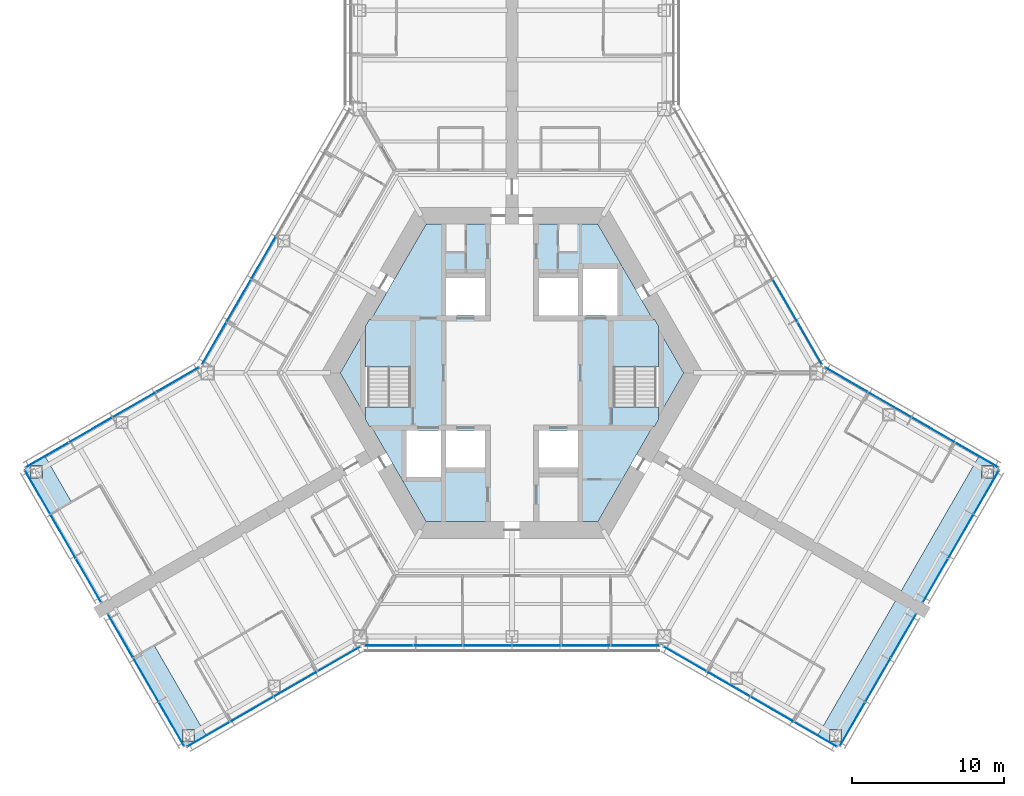
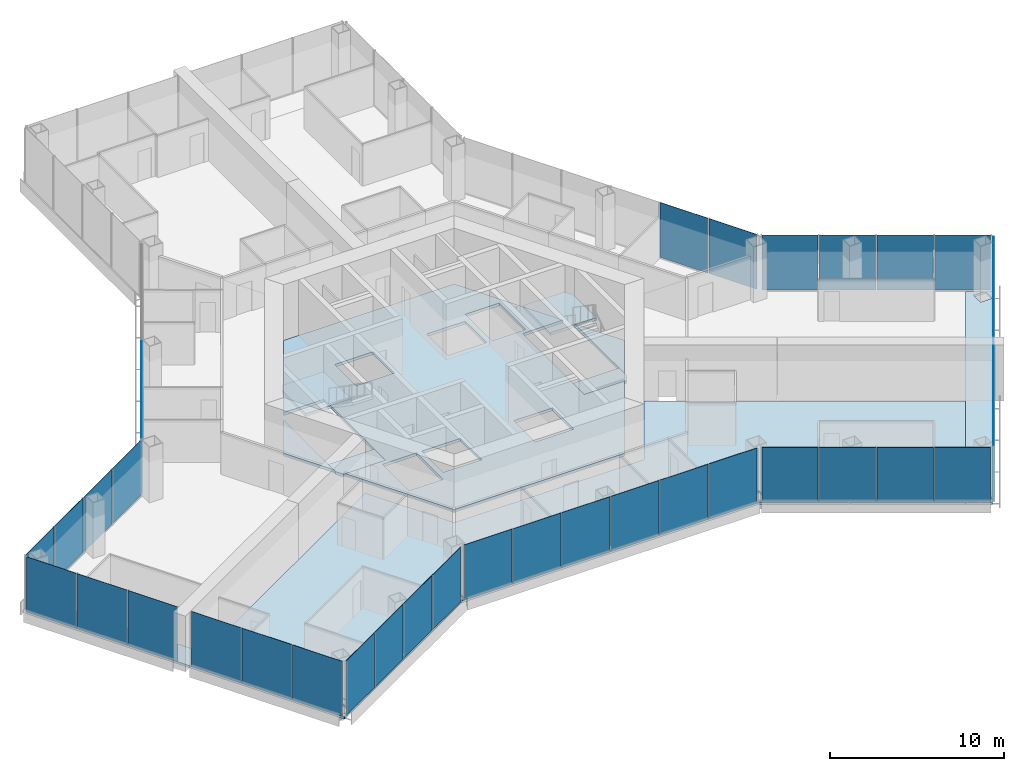
# One storey, part 10 of 19: 39 plates, 10 slabs, 13 elements without a shape of their own.
"""IFC4 building model written with IfcOpenShell, lengths in metres."""

from ifc_helpers import new_model, si_unit, direction, frame, origin, origin_2d, place, context, subcontext, project, spatial, polyline, rectangle, outline, extrude, material, layer, layer_set, type_object, element, aggregate, save


model = new_model("IFC4")

# Units and contexts
model_context = context("Model", 3, precision=1e-05, world=origin(), true_north=direction((0.0, 1.0)))
body_context = subcontext(model_context, "Body", "Model", "MODEL_VIEW")
ifc_project = project(units=[si_unit("LENGTHUNIT", "METRE"), si_unit("AREAUNIT", "SQUARE_METRE"), si_unit("VOLUMEUNIT", "CUBIC_METRE"), si_unit("PLANEANGLEUNIT", "RADIAN"), si_unit("MASSUNIT", "GRAM", prefix="KILO")], contexts=[model_context])

# Site, building, storey
site_placement = place(None, origin())
site = spatial("IfcSite", under=ifc_project, at=site_placement, CompositionType="ELEMENT")
building_placement = place(site_placement, origin())
building = spatial("IfcBuilding", under=site, at=building_placement, Name="Kasaneha Research Tower", CompositionType="ELEMENT")
storey_placement = place(building_placement, frame((0.0, 0.0, 92.39990234375)))
storey = spatial("IfcBuildingStorey", under=building, at=storey_placement, Name="L23", CompositionType="ELEMENT", Elevation=92.39990234375)

# Curtain wall, plates
ifc_material_1 = material(Name="Glass and aluminium", Category="aluminium")
curtain_wall_type = type_object("IfcCurtainWallType", Name="Low-rise office curtain wall", PredefinedType="USERDEFINED", material=ifc_material_1)
curtain_wall_1_placement = place(storey_placement, origin())
curtain_wall_1 = element("IfcCurtainWall", 1, at=curtain_wall_1_placement, inside=storey, type_object=curtain_wall_type, Name="CW-O1 L23 run 01a", ObjectType="UNITISED CURTAIN WALL", PredefinedType="USERDEFINED")
ifc_material_2 = material(Name="Laminated double glazing", Category="glass")
ifc_layer_1 = layer(ifc_material_2, 0.028076171875)
ifc_layer_set_1 = layer_set([ifc_layer_1], Name="CW-O1 glazed panel")
plate_type = type_object("IfcPlateType", Name="CW-O1 glazed panel", PredefinedType="CURTAIN_PANEL", material=ifc_layer_set_1)
plate_1_placement = place(storey_placement, frame((-19.945068359375, -23.755126953125, 0.06005859375), z_axis=(0.0, 0.0, 1.0), x_axis=(0.866025411464, 0.499999986699, 0.0)))
plate_1 = element("IfcPlate", 2, at=plate_1_placement, type_object=plate_type, Name="CW-O1 panel 1", PredefinedType="CURTAIN_PANEL", context=body_context, shape_type="SweptSolid", body=[
    extrude(rectangle(XDim=3.2197265625, YDim=0.028076171875, at=origin_2d()), origin(), (0.0, 0.0, 1.0), 3.840087890625),
])
plate_2_placement = place(storey_placement, frame((-17.091796875, -22.107666015625, 0.06005859375), z_axis=(0.0, 0.0, 1.0), x_axis=(0.866025411464, 0.499999986699, 0.0)))
plate_2 = element("IfcPlate", 3, at=plate_2_placement, type_object=plate_type, Name="CW-O1 panel 2", PredefinedType="CURTAIN_PANEL", context=body_context, shape_type="SweptSolid", body=[
    extrude(rectangle(XDim=3.249755859375, YDim=0.028076171875, at=origin_2d()), origin(), (0.0, 0.0, 1.0), 3.840087890625),
])
plate_3_placement = place(storey_placement, frame((-14.225341796875, -20.452880859375, 0.06005859375), z_axis=(0.0, 0.0, 1.0), x_axis=(0.866025411464, 0.499999986699, 0.0)))
plate_3 = element("IfcPlate", 4, at=plate_3_placement, type_object=plate_type, Name="CW-O1 panel 3", PredefinedType="CURTAIN_PANEL", context=body_context, shape_type="SweptSolid", body=[
    extrude(rectangle(XDim=3.249755859375, YDim=0.028076171875, at=origin_2d()), origin(), (0.0, 0.0, 1.0), 3.840087890625),
])
plate_4_placement = place(storey_placement, frame((-11.3720703125, -18.805419921875, 0.06005859375), z_axis=(0.0, 0.0, 1.0), x_axis=(0.866025411464, 0.499999986699, 0.0)))
plate_4 = element("IfcPlate", 5, at=plate_4_placement, type_object=plate_type, Name="CW-O1 panel 4", PredefinedType="CURTAIN_PANEL", context=body_context, shape_type="SweptSolid", body=[
    extrude(rectangle(XDim=3.2197265625, YDim=0.028076171875, at=origin_2d()), origin(), (0.0, 0.0, 1.0), 3.840087890625),
])
aggregate(curtain_wall_1, [plate_1, plate_2, plate_3, plate_4])

curtain_wall_2_placement = place(storey_placement, origin())
curtain_wall_2 = element("IfcCurtainWall", 6, at=curtain_wall_2_placement, inside=storey, type_object=curtain_wall_type, Name="CW-O1 L23 run 02a", ObjectType="UNITISED CURTAIN WALL", PredefinedType="USERDEFINED")
plate_5_placement = place(storey_placement, frame((-8.10107421875, -17.92041015625, 0.06005859375), z_axis=(0.0, 0.0, 1.0), x_axis=(1.0, 0.0, 0.0)))
plate_5 = element("IfcPlate", 7, at=plate_5_placement, type_object=plate_type, Name="CW-O1 panel 1", PredefinedType="CURTAIN_PANEL", context=body_context, shape_type="SweptSolid", body=[
    extrude(rectangle(XDim=3.156494140625, YDim=0.028076171875, at=origin_2d()), origin(), (0.0, 0.0, 1.0), 3.840087890625),
])
plate_6_placement = place(storey_placement, frame((-4.86962890625, -17.92041015625, 0.06005859375), z_axis=(0.0, 0.0, 1.0), x_axis=(1.0, 0.0, 0.0)))
plate_6 = element("IfcPlate", 8, at=plate_6_placement, type_object=plate_type, Name="CW-O1 panel 2", PredefinedType="CURTAIN_PANEL", context=body_context, shape_type="SweptSolid", body=[
    extrude(rectangle(XDim=3.1865234375, YDim=0.028076171875, at=origin_2d()), origin(), (0.0, 0.0, 1.0), 3.840087890625),
])
plate_7_placement = place(storey_placement, frame((-1.623291015625, -17.92041015625, 0.06005859375), z_axis=(0.0, 0.0, 1.0), x_axis=(1.0, 0.0, 0.0)))
plate_7 = element("IfcPlate", 9, at=plate_7_placement, type_object=plate_type, Name="CW-O1 panel 3", PredefinedType="CURTAIN_PANEL", context=body_context, shape_type="SweptSolid", body=[
    extrude(rectangle(XDim=3.1865234375, YDim=0.028076171875, at=origin_2d()), origin(), (0.0, 0.0, 1.0), 3.840087890625),
])
plate_8_placement = place(storey_placement, frame((1.623291015625, -17.92041015625, 0.06005859375), z_axis=(0.0, 0.0, 1.0), x_axis=(1.0, 0.0, 0.0)))
plate_8 = element("IfcPlate", 10, at=plate_8_placement, type_object=plate_type, Name="CW-O1 panel 4", PredefinedType="CURTAIN_PANEL", context=body_context, shape_type="SweptSolid", body=[
    extrude(rectangle(XDim=3.1865234375, YDim=0.028076171875, at=origin_2d()), origin(), (0.0, 0.0, 1.0), 3.840087890625),
])
plate_9_placement = place(storey_placement, frame((4.86962890625, -17.92041015625, 0.06005859375), z_axis=(0.0, 0.0, 1.0), x_axis=(1.0, 0.0, 0.0)))
plate_9 = element("IfcPlate", 11, at=plate_9_placement, type_object=plate_type, Name="CW-O1 panel 5", PredefinedType="CURTAIN_PANEL", context=body_context, shape_type="SweptSolid", body=[
    extrude(rectangle(XDim=3.1865234375, YDim=0.028076171875, at=origin_2d()), origin(), (0.0, 0.0, 1.0), 3.840087890625),
])
plate_10_placement = place(storey_placement, frame((8.10107421875, -17.92041015625, 0.06005859375), z_axis=(0.0, 0.0, 1.0), x_axis=(1.0, 0.0, 0.0)))
plate_10 = element("IfcPlate", 12, at=plate_10_placement, type_object=plate_type, Name="CW-O1 panel 6", PredefinedType="CURTAIN_PANEL", context=body_context, shape_type="SweptSolid", body=[
    extrude(rectangle(XDim=3.156494140625, YDim=0.028076171875, at=origin_2d()), origin(), (0.0, 0.0, 1.0), 3.840087890625),
])
aggregate(curtain_wall_2, [plate_5, plate_6, plate_7, plate_8, plate_9, plate_10])

curtain_wall_3_placement = place(storey_placement, origin())
curtain_wall_3 = element("IfcCurtainWall", 13, at=curtain_wall_3_placement, inside=storey, type_object=curtain_wall_type, Name="CW-O1 L23 run 03a", ObjectType="UNITISED CURTAIN WALL", PredefinedType="USERDEFINED")
plate_11_placement = place(storey_placement, frame((11.3720703125, -18.805419921875, 0.06005859375), z_axis=(0.0, 0.0, 1.0), x_axis=(0.866025411464, -0.499999986699, 0.0)))
plate_11 = element("IfcPlate", 14, at=plate_11_placement, type_object=plate_type, Name="CW-O1 panel 1", PredefinedType="CURTAIN_PANEL", context=body_context, shape_type="SweptSolid", body=[
    extrude(rectangle(XDim=3.2197265625, YDim=0.028076171875, at=origin_2d()), origin(), (0.0, 0.0, 1.0), 3.840087890625),
])
plate_12_placement = place(storey_placement, frame((14.225341796875, -20.452880859375, 0.06005859375), z_axis=(0.0, 0.0, 1.0), x_axis=(0.866025411464, -0.499999986699, 0.0)))
plate_12 = element("IfcPlate", 15, at=plate_12_placement, type_object=plate_type, Name="CW-O1 panel 2", PredefinedType="CURTAIN_PANEL", context=body_context, shape_type="SweptSolid", body=[
    extrude(rectangle(XDim=3.249755859375, YDim=0.028076171875, at=origin_2d()), origin(), (0.0, 0.0, 1.0), 3.840087890625),
])
plate_13_placement = place(storey_placement, frame((17.091796875, -22.107666015625, 0.06005859375), z_axis=(0.0, 0.0, 1.0), x_axis=(0.866025411464, -0.499999986699, 0.0)))
plate_13 = element("IfcPlate", 16, at=plate_13_placement, type_object=plate_type, Name="CW-O1 panel 3", PredefinedType="CURTAIN_PANEL", context=body_context, shape_type="SweptSolid", body=[
    extrude(rectangle(XDim=3.249755859375, YDim=0.028076171875, at=origin_2d()), origin(), (0.0, 0.0, 1.0), 3.840087890625),
])
plate_14_placement = place(storey_placement, frame((19.945068359375, -23.755126953125, 0.06005859375), z_axis=(0.0, 0.0, 1.0), x_axis=(0.866025411464, -0.499999986699, 0.0)))
plate_14 = element("IfcPlate", 17, at=plate_14_placement, type_object=plate_type, Name="CW-O1 panel 4", PredefinedType="CURTAIN_PANEL", context=body_context, shape_type="SweptSolid", body=[
    extrude(rectangle(XDim=3.2197265625, YDim=0.028076171875, at=origin_2d()), origin(), (0.0, 0.0, 1.0), 3.840087890625),
])
aggregate(curtain_wall_3, [plate_11, plate_12, plate_13, plate_14])

curtain_wall_4_placement = place(storey_placement, origin())
curtain_wall_4 = element("IfcCurtainWall", 18, at=curtain_wall_4_placement, inside=storey, type_object=curtain_wall_type, Name="CW-O1 L23 run 04a", ObjectType="UNITISED CURTAIN WALL", PredefinedType="USERDEFINED")
plate_15_placement = place(storey_placement, frame((22.377197265625, -23.082763671875, 0.06005859375), z_axis=(0.0, 0.0, 1.0), x_axis=(0.500000011442, 0.866025397178, 0.0)))
plate_15 = element("IfcPlate", 19, at=plate_15_placement, type_object=plate_type, Name="CW-O1 panel 1", PredefinedType="CURTAIN_PANEL", context=body_context, shape_type="SweptSolid", body=[
    extrude(rectangle(XDim=3.276611328125, YDim=0.028076171875, at=origin_2d()), origin(), (0.0, 0.0, 1.0), 3.840087890625),
])
plate_16_placement = place(storey_placement, frame((24.052978515625, -20.18017578125, 0.06005859375), z_axis=(0.0, 0.0, 1.0), x_axis=(0.500000011442, 0.866025397178, 0.0)))
plate_16 = element("IfcPlate", 20, at=plate_16_placement, type_object=plate_type, Name="CW-O1 panel 2", PredefinedType="CURTAIN_PANEL", context=body_context, shape_type="SweptSolid", body=[
    extrude(rectangle(XDim=3.306640625, YDim=0.028076171875, at=origin_2d()), origin(), (0.0, 0.0, 1.0), 3.840087890625),
])
plate_17_placement = place(storey_placement, frame((25.728759765625, -17.27734375, 0.06005859375), z_axis=(0.0, 0.0, 1.0), x_axis=(0.500000011442, 0.866025397178, 0.0)))
plate_17 = element("IfcPlate", 21, at=plate_17_placement, type_object=plate_type, Name="CW-O1 panel 3", PredefinedType="CURTAIN_PANEL", context=body_context, shape_type="SweptSolid", body=[
    extrude(rectangle(XDim=3.276611328125, YDim=0.028076171875, at=origin_2d()), origin(), (0.0, 0.0, 1.0), 3.840087890625),
])
aggregate(curtain_wall_4, [plate_15, plate_16, plate_17])

curtain_wall_5_placement = place(storey_placement, origin())
curtain_wall_5 = element("IfcCurtainWall", 22, at=curtain_wall_5_placement, inside=storey, type_object=curtain_wall_type, Name="CW-O1 L23 run 05a", ObjectType="UNITISED CURTAIN WALL", PredefinedType="USERDEFINED")
plate_18_placement = place(storey_placement, frame((27.8271484375, -13.64306640625, 0.06005859375), z_axis=(0.0, 0.0, 1.0), x_axis=(0.500000011442, 0.866025397178, 0.0)))
plate_18 = element("IfcPlate", 23, at=plate_18_placement, type_object=plate_type, Name="CW-O1 panel 1", PredefinedType="CURTAIN_PANEL", context=body_context, shape_type="SweptSolid", body=[
    extrude(rectangle(XDim=3.276611328125, YDim=0.028076171875, at=origin_2d()), origin(), (0.0, 0.0, 1.0), 3.840087890625),
])
plate_19_placement = place(storey_placement, frame((29.5029296875, -10.740478515625, 0.06005859375), z_axis=(0.0, 0.0, 1.0), x_axis=(0.500000011442, 0.866025397178, 0.0)))
plate_19 = element("IfcPlate", 24, at=plate_19_placement, type_object=plate_type, Name="CW-O1 panel 2", PredefinedType="CURTAIN_PANEL", context=body_context, shape_type="SweptSolid", body=[
    extrude(rectangle(XDim=3.306640625, YDim=0.028076171875, at=origin_2d()), origin(), (0.0, 0.0, 1.0), 3.840087890625),
])
plate_20_placement = place(storey_placement, frame((31.1787109375, -7.837890625, 0.06005859375), z_axis=(0.0, 0.0, 1.0), x_axis=(0.500000011442, 0.866025397178, 0.0)))
plate_20 = element("IfcPlate", 25, at=plate_20_placement, type_object=plate_type, Name="CW-O1 panel 3", PredefinedType="CURTAIN_PANEL", context=body_context, shape_type="SweptSolid", body=[
    extrude(rectangle(XDim=3.276611328125, YDim=0.028076171875, at=origin_2d()), origin(), (0.0, 0.0, 1.0), 3.840087890625),
])
aggregate(curtain_wall_5, [plate_18, plate_19, plate_20])

curtain_wall_6_placement = place(storey_placement, origin())
curtain_wall_6 = element("IfcCurtainWall", 26, at=curtain_wall_6_placement, inside=storey, type_object=curtain_wall_type, Name="CW-O1 L23 run 06a", ObjectType="UNITISED CURTAIN WALL", PredefinedType="USERDEFINED")
plate_21_placement = place(storey_placement, frame((30.545166015625, -5.3955078125, 0.06005859375), z_axis=(0.0, 0.0, 1.0), x_axis=(-0.866025411464, 0.499999986699, 0.0)))
plate_21 = element("IfcPlate", 27, at=plate_21_placement, type_object=plate_type, Name="CW-O1 panel 1", PredefinedType="CURTAIN_PANEL", context=body_context, shape_type="SweptSolid", body=[
    extrude(rectangle(XDim=3.2197265625, YDim=0.028076171875, at=origin_2d()), origin(), (0.0, 0.0, 1.0), 3.840087890625),
])
plate_22_placement = place(storey_placement, frame((27.69189453125, -3.748046875, 0.06005859375), z_axis=(0.0, 0.0, 1.0), x_axis=(-0.866025411464, 0.499999986699, 0.0)))
plate_22 = element("IfcPlate", 28, at=plate_22_placement, type_object=plate_type, Name="CW-O1 panel 2", PredefinedType="CURTAIN_PANEL", context=body_context, shape_type="SweptSolid", body=[
    extrude(rectangle(XDim=3.249755859375, YDim=0.028076171875, at=origin_2d()), origin(), (0.0, 0.0, 1.0), 3.840087890625),
])
plate_23_placement = place(storey_placement, frame((24.825439453125, -2.093017578125, 0.06005859375), z_axis=(0.0, 0.0, 1.0), x_axis=(-0.866025411464, 0.499999986699, 0.0)))
plate_23 = element("IfcPlate", 29, at=plate_23_placement, type_object=plate_type, Name="CW-O1 panel 3", PredefinedType="CURTAIN_PANEL", context=body_context, shape_type="SweptSolid", body=[
    extrude(rectangle(XDim=3.249755859375, YDim=0.028076171875, at=origin_2d()), origin(), (0.0, 0.0, 1.0), 3.840087890625),
])
plate_24_placement = place(storey_placement, frame((21.971923828125, -0.44580078125, 0.06005859375), z_axis=(0.0, 0.0, 1.0), x_axis=(-0.866025411464, 0.499999986699, 0.0)))
plate_24 = element("IfcPlate", 30, at=plate_24_placement, type_object=plate_type, Name="CW-O1 panel 4", PredefinedType="CURTAIN_PANEL", context=body_context, shape_type="SweptSolid", body=[
    extrude(rectangle(XDim=3.2197265625, YDim=0.028076171875, at=origin_2d()), origin(), (0.0, 0.0, 1.0), 3.840087890625),
])
aggregate(curtain_wall_6, [plate_21, plate_22, plate_23, plate_24])

curtain_wall_7_placement = place(storey_placement, origin())
curtain_wall_7 = element("IfcCurtainWall", 31, at=curtain_wall_7_placement, inside=storey, type_object=curtain_wall_type, Name="CW-O1 L23 run 07a", ObjectType="UNITISED CURTAIN WALL", PredefinedType="USERDEFINED")
plate_25_placement = place(storey_placement, frame((19.570068359375, 1.944580078125, 0.06005859375), z_axis=(0.0, 0.0, 1.0), x_axis=(-0.49999996188, 0.866025425793, 0.0)))
plate_25 = element("IfcPlate", 32, at=plate_25_placement, type_object=plate_type, Name="CW-O1 panel 1", PredefinedType="CURTAIN_PANEL", context=body_context, shape_type="SweptSolid", body=[
    extrude(rectangle(XDim=3.156494140625, YDim=0.028076171875, at=origin_2d()), origin(), (0.0, 0.0, 1.0), 3.840087890625),
])
plate_26_placement = place(storey_placement, frame((17.954345703125, 4.7431640625, 0.06005859375), z_axis=(0.0, 0.0, 1.0), x_axis=(-0.49999996188, 0.866025425793, 0.0)))
plate_26 = element("IfcPlate", 33, at=plate_26_placement, type_object=plate_type, Name="CW-O1 panel 2", PredefinedType="CURTAIN_PANEL", context=body_context, shape_type="SweptSolid", body=[
    extrude(rectangle(XDim=3.1865234375, YDim=0.028076171875, at=origin_2d()), origin(), (0.0, 0.0, 1.0), 3.840087890625),
])
aggregate(curtain_wall_7, [plate_25, plate_26])

curtain_wall_8_placement = place(storey_placement, origin())
curtain_wall_8 = element("IfcCurtainWall", 34, at=curtain_wall_8_placement, inside=storey, type_object=curtain_wall_type, Name="CW-O1 L23 run 12a", ObjectType="UNITISED CURTAIN WALL", PredefinedType="USERDEFINED")
plate_27_placement = place(storey_placement, frame((-16.331298828125, 7.554443359375, 0.06005859375), z_axis=(0.0, 0.0, 1.0), x_axis=(-0.49999996188, -0.866025425793, 0.0)))
plate_27 = element("IfcPlate", 35, at=plate_27_placement, type_object=plate_type, Name="CW-O1 panel 4", PredefinedType="CURTAIN_PANEL", context=body_context, shape_type="SweptSolid", body=[
    extrude(rectangle(XDim=3.1865234375, YDim=0.028076171875, at=origin_2d()), origin(), (0.0, 0.0, 1.0), 3.840087890625),
])
plate_28_placement = place(storey_placement, frame((-17.954345703125, 4.7431640625, 0.06005859375), z_axis=(0.0, 0.0, 1.0), x_axis=(-0.49999996188, -0.866025425793, 0.0)))
plate_28 = element("IfcPlate", 36, at=plate_28_placement, type_object=plate_type, Name="CW-O1 panel 5", PredefinedType="CURTAIN_PANEL", context=body_context, shape_type="SweptSolid", body=[
    extrude(rectangle(XDim=3.1865234375, YDim=0.028076171875, at=origin_2d()), origin(), (0.0, 0.0, 1.0), 3.840087890625),
])
plate_29_placement = place(storey_placement, frame((-19.570068359375, 1.944580078125, 0.06005859375), z_axis=(0.0, 0.0, 1.0), x_axis=(-0.49999996188, -0.866025425793, 0.0)))
plate_29 = element("IfcPlate", 37, at=plate_29_placement, type_object=plate_type, Name="CW-O1 panel 6", PredefinedType="CURTAIN_PANEL", context=body_context, shape_type="SweptSolid", body=[
    extrude(rectangle(XDim=3.156494140625, YDim=0.028076171875, at=origin_2d()), origin(), (0.0, 0.0, 1.0), 3.840087890625),
])
aggregate(curtain_wall_8, [plate_27, plate_28, plate_29])

curtain_wall_9_placement = place(storey_placement, origin())
curtain_wall_9 = element("IfcCurtainWall", 38, at=curtain_wall_9_placement, inside=storey, type_object=curtain_wall_type, Name="CW-O1 L23 run 13a", ObjectType="UNITISED CURTAIN WALL", PredefinedType="USERDEFINED")
plate_30_placement = place(storey_placement, frame((-21.971923828125, -0.44580078125, 0.06005859375), z_axis=(0.0, 0.0, 1.0), x_axis=(-0.866025411464, -0.499999986699, 0.0)))
plate_30 = element("IfcPlate", 39, at=plate_30_placement, type_object=plate_type, Name="CW-O1 panel 1", PredefinedType="CURTAIN_PANEL", context=body_context, shape_type="SweptSolid", body=[
    extrude(rectangle(XDim=3.2197265625, YDim=0.028076171875, at=origin_2d()), origin(), (0.0, 0.0, 1.0), 3.840087890625),
])
plate_31_placement = place(storey_placement, frame((-24.825439453125, -2.093017578125, 0.06005859375), z_axis=(0.0, 0.0, 1.0), x_axis=(-0.866025411464, -0.499999986699, 0.0)))
plate_31 = element("IfcPlate", 40, at=plate_31_placement, type_object=plate_type, Name="CW-O1 panel 2", PredefinedType="CURTAIN_PANEL", context=body_context, shape_type="SweptSolid", body=[
    extrude(rectangle(XDim=3.249755859375, YDim=0.028076171875, at=origin_2d()), origin(), (0.0, 0.0, 1.0), 3.840087890625),
])
plate_32_placement = place(storey_placement, frame((-27.69189453125, -3.748046875, 0.06005859375), z_axis=(0.0, 0.0, 1.0), x_axis=(-0.866025411464, -0.499999986699, 0.0)))
plate_32 = element("IfcPlate", 41, at=plate_32_placement, type_object=plate_type, Name="CW-O1 panel 3", PredefinedType="CURTAIN_PANEL", context=body_context, shape_type="SweptSolid", body=[
    extrude(rectangle(XDim=3.249755859375, YDim=0.028076171875, at=origin_2d()), origin(), (0.0, 0.0, 1.0), 3.840087890625),
])
plate_33_placement = place(storey_placement, frame((-30.545166015625, -5.3955078125, 0.06005859375), z_axis=(0.0, 0.0, 1.0), x_axis=(-0.866025411464, -0.499999986699, 0.0)))
plate_33 = element("IfcPlate", 42, at=plate_33_placement, type_object=plate_type, Name="CW-O1 panel 4", PredefinedType="CURTAIN_PANEL", context=body_context, shape_type="SweptSolid", body=[
    extrude(rectangle(XDim=3.2197265625, YDim=0.028076171875, at=origin_2d()), origin(), (0.0, 0.0, 1.0), 3.840087890625),
])
aggregate(curtain_wall_9, [plate_30, plate_31, plate_32, plate_33])

curtain_wall_10_placement = place(storey_placement, origin())
curtain_wall_10 = element("IfcCurtainWall", 43, at=curtain_wall_10_placement, inside=storey, type_object=curtain_wall_type, Name="CW-O1 L23 run 14a", ObjectType="UNITISED CURTAIN WALL", PredefinedType="USERDEFINED")
plate_34_placement = place(storey_placement, frame((-31.1787109375, -7.837890625, 0.06005859375), z_axis=(0.0, 0.0, 1.0), x_axis=(0.500000011442, -0.866025397178, 0.0)))
plate_34 = element("IfcPlate", 44, at=plate_34_placement, type_object=plate_type, Name="CW-O1 panel 1", PredefinedType="CURTAIN_PANEL", context=body_context, shape_type="SweptSolid", body=[
    extrude(rectangle(XDim=3.276611328125, YDim=0.028076171875, at=origin_2d()), origin(), (0.0, 0.0, 1.0), 3.840087890625),
])
plate_35_placement = place(storey_placement, frame((-29.5029296875, -10.740478515625, 0.06005859375), z_axis=(0.0, 0.0, 1.0), x_axis=(0.500000011442, -0.866025397178, 0.0)))
plate_35 = element("IfcPlate", 45, at=plate_35_placement, type_object=plate_type, Name="CW-O1 panel 2", PredefinedType="CURTAIN_PANEL", context=body_context, shape_type="SweptSolid", body=[
    extrude(rectangle(XDim=3.306640625, YDim=0.028076171875, at=origin_2d()), origin(), (0.0, 0.0, 1.0), 3.840087890625),
])
plate_36_placement = place(storey_placement, frame((-27.8271484375, -13.64306640625, 0.06005859375), z_axis=(0.0, 0.0, 1.0), x_axis=(0.500000011442, -0.866025397178, 0.0)))
plate_36 = element("IfcPlate", 46, at=plate_36_placement, type_object=plate_type, Name="CW-O1 panel 3", PredefinedType="CURTAIN_PANEL", context=body_context, shape_type="SweptSolid", body=[
    extrude(rectangle(XDim=3.276611328125, YDim=0.028076171875, at=origin_2d()), origin(), (0.0, 0.0, 1.0), 3.840087890625),
])
aggregate(curtain_wall_10, [plate_34, plate_35, plate_36])

curtain_wall_11_placement = place(storey_placement, origin())
curtain_wall_11 = element("IfcCurtainWall", 47, at=curtain_wall_11_placement, inside=storey, type_object=curtain_wall_type, Name="CW-O1 L23 run 15a", ObjectType="UNITISED CURTAIN WALL", PredefinedType="USERDEFINED")
plate_37_placement = place(storey_placement, frame((-25.728759765625, -17.27734375, 0.06005859375), z_axis=(0.0, 0.0, 1.0), x_axis=(0.500000011442, -0.866025397178, 0.0)))
plate_37 = element("IfcPlate", 48, at=plate_37_placement, type_object=plate_type, Name="CW-O1 panel 1", PredefinedType="CURTAIN_PANEL", context=body_context, shape_type="SweptSolid", body=[
    extrude(rectangle(XDim=3.276611328125, YDim=0.028076171875, at=origin_2d()), origin(), (0.0, 0.0, 1.0), 3.840087890625),
])
plate_38_placement = place(storey_placement, frame((-24.052978515625, -20.18017578125, 0.06005859375), z_axis=(0.0, 0.0, 1.0), x_axis=(0.500000011442, -0.866025397178, 0.0)))
plate_38 = element("IfcPlate", 49, at=plate_38_placement, type_object=plate_type, Name="CW-O1 panel 2", PredefinedType="CURTAIN_PANEL", context=body_context, shape_type="SweptSolid", body=[
    extrude(rectangle(XDim=3.306640625, YDim=0.028076171875, at=origin_2d()), origin(), (0.0, 0.0, 1.0), 3.840087890625),
])
plate_39_placement = place(storey_placement, frame((-22.377197265625, -23.082763671875, 0.06005859375), z_axis=(0.0, 0.0, 1.0), x_axis=(0.500000011442, -0.866025397178, 0.0)))
plate_39 = element("IfcPlate", 50, at=plate_39_placement, type_object=plate_type, Name="CW-O1 panel 3", PredefinedType="CURTAIN_PANEL", context=body_context, shape_type="SweptSolid", body=[
    extrude(rectangle(XDim=3.276611328125, YDim=0.028076171875, at=origin_2d()), origin(), (0.0, 0.0, 1.0), 3.840087890625),
])
aggregate(curtain_wall_11, [plate_37, plate_38, plate_39])

# Slabs
ifc_material_3 = material(Name="Concrete Fc24", Category="concrete")
ifc_layer_2 = layer(ifc_material_3, 0.199951171875)
ifc_layer_set_2 = layer_set([ifc_layer_2], Name="Core floor slab 200")
slab_type_1 = type_object("IfcSlabType", Name="Core floor slab 200", PredefinedType="FLOOR", material=ifc_layer_set_2)
slab_1_placement = place(storey_placement, frame((0.0, 0.0, -0.199951171875)))
element("IfcSlab", 51, at=slab_1_placement, inside=storey, type_object=slab_type_1, Name="Core slab L23", PredefinedType="FLOOR", context=body_context, shape_type="SweptSolid", body=[
    extrude(outline(polyline([(-11.287109375, 0.0), (-9.625, 2.87890625), (-9.625, -2.87890625), (-11.287109375, 0.0)])), origin(), (0.0, 0.0, 1.0), 0.199951171875),
])
slab_2_placement = place(storey_placement, frame((0.0, 0.0, -0.199951171875)))
element("IfcSlab", 52, at=slab_2_placement, inside=storey, type_object=slab_type_1, Name="Core slab L23", PredefinedType="FLOOR", context=body_context, shape_type="SweptSolid", body=[
    extrude(outline(polyline([(-5.6435546875, 9.77490234375), (5.6435546875, 9.77490234375), (9.251953125, 3.52490234375), (6.574951171875, 3.52490234375), (6.574951171875, -3.52490234375), (9.251953125, -3.52490234375), (5.6435546875, -9.77490234375), (-5.6435546875, -9.77490234375), (-9.251953125, -3.52490234375), (-6.574951171875, -3.52490234375), (-6.574951171875, 3.52490234375), (-9.251953125, 3.52490234375), (-5.6435546875, 9.77490234375)]), holes=[polyline([(-6.925048828125, -3.77490234375), (-6.925048828125, -6.824951171875), (-4.675048828125, -6.824951171875), (-4.675048828125, -3.77490234375), (-6.925048828125, -3.77490234375)]), polyline([(-4.324951171875, -3.77490234375), (-4.324951171875, -6.22509765625), (-1.77490234375, -6.22509765625), (-1.77490234375, -3.77490234375), (-4.324951171875, -3.77490234375)]), polyline([(1.77490234375, -3.77490234375), (1.77490234375, -6.22509765625), (4.324951171875, -6.22509765625), (4.324951171875, -3.77490234375), (1.77490234375, -3.77490234375)]), polyline([(-4.324951171875, 6.22509765625), (-4.324951171875, 3.77490234375), (-1.77490234375, 3.77490234375), (-1.77490234375, 6.22509765625), (-4.324951171875, 6.22509765625)]), polyline([(1.77490234375, 6.22509765625), (1.77490234375, 3.77490234375), (4.324951171875, 3.77490234375), (4.324951171875, 6.22509765625), (1.77490234375, 6.22509765625)]), polyline([(4.675048828125, 6.824951171875), (4.675048828125, 3.77490234375), (6.925048828125, 3.77490234375), (6.925048828125, 6.824951171875), (4.675048828125, 6.824951171875)])]), origin(), (0.0, 0.0, 1.0), 0.199951171875),
])
slab_3_placement = place(storey_placement, frame((0.0, 0.0, -0.199951171875)))
element("IfcSlab", 53, at=slab_3_placement, inside=storey, type_object=slab_type_1, Name="Core slab L23", PredefinedType="FLOOR", context=body_context, shape_type="SweptSolid", body=[
    extrude(outline(polyline([(11.287109375, 0.0), (9.625, -2.87890625), (9.625, 2.87890625), (11.287109375, 0.0)])), origin(), (0.0, 0.0, 1.0), 0.199951171875),
])
ifc_material_4 = material(Name="Concrete Fc24", Category="concrete")
ifc_layer_3 = layer(ifc_material_4, 0.14990234375)
ifc_layer_set_3 = layer_set([ifc_layer_3], Name="Floor slab 150")
slab_type_2 = type_object("IfcSlabType", Name="Floor slab 150", PredefinedType="FLOOR", material=ifc_layer_set_3)
slab_4_placement = place(storey_placement, frame((0.0, 0.0, -0.14990234375)))
element("IfcSlab", 54, at=slab_4_placement, inside=storey, type_object=slab_type_2, Name="Floor slab L23 1", PredefinedType="FLOOR", context=body_context, shape_type="SweptSolid", body=[
    extrude(outline(polyline([(-25.1923828125, -15.006591796875), (-25.18359375, -15.001708984375), (-20.108642578125, -23.791748046875), (-21.459716796875, -24.57177734375), (-21.65576171875, -24.232177734375), (-21.644287109375, -24.220703125), (-20.858154296875, -24.220703125), (-20.858154296875, -23.42041015625), (-21.658447265625, -23.42041015625), (-21.658447265625, -24.20654296875), (-21.666015625, -24.214111328125), (-31.65576171875, -6.91162109375), (-31.644287109375, -6.900146484375), (-30.858154296875, -6.900146484375), (-30.858154296875, -6.099853515625), (-31.658447265625, -6.099853515625), (-31.658447265625, -6.885986328125), (-31.666015625, -6.8935546875), (-32.009521484375, -6.298583984375), (-30.65869140625, -5.518798828125), (-25.583740234375, -14.308837890625), (-25.59228515625, -14.313720703125), (-25.1923828125, -15.006591796875)])), origin(), (0.0, 0.0, 1.0), 0.14990234375),
])
slab_5_placement = place(storey_placement, frame((0.0, 0.0, -0.14990234375)))
element("IfcSlab", 55, at=slab_5_placement, inside=storey, type_object=slab_type_2, Name="Floor slab L23 4", PredefinedType="FLOOR", context=body_context, shape_type="SweptSolid", body=[
    extrude(outline(polyline([(-6.278564453125, -10.875), (6.278564453125, -10.875), (9.218017578125, -5.783935546875), (25.18359375, -15.001708984375), (20.108642578125, -23.791748046875), (14.369384765625, -20.478271484375), (14.377197265625, -20.470703125), (15.163330078125, -20.470703125), (15.163330078125, -19.67041015625), (14.363037109375, -19.67041015625), (14.363037109375, -20.45654296875), (14.3515625, -20.468017578125), (9.8525390625, -17.87060546875), (-9.8525390625, -17.87060546875), (-15.217529296875, -20.968017578125), (-15.22900390625, -20.95654296875), (-15.22900390625, -20.17041015625), (-16.029296875, -20.17041015625), (-16.029296875, -20.970703125), (-15.2431640625, -20.970703125), (-15.235595703125, -20.978271484375), (-20.108642578125, -23.791748046875), (-25.18359375, -15.001708984375), (-9.218017578125, -5.783935546875), (-6.278564453125, -10.875)]), holes=[polyline([(0.39990234375, -17.720458984375), (0.39990234375, -16.92041015625), (-0.39990234375, -16.92041015625), (-0.39990234375, -17.720458984375), (0.39990234375, -17.720458984375)]), polyline([(-9.550048828125, -16.87060546875), (-10.449951171875, -16.87060546875), (-10.449951171875, -17.7705078125), (-9.550048828125, -17.7705078125), (-9.550048828125, -16.87060546875)]), polyline([(10.449951171875, -16.87060546875), (9.550048828125, -16.87060546875), (9.550048828125, -17.7705078125), (10.449951171875, -17.7705078125), (10.449951171875, -16.87060546875)])]), origin(), (0.0, 0.0, 1.0), 0.14990234375),
])
slab_6_placement = place(storey_placement, frame((0.0, 0.0, -0.14990234375)))
element("IfcSlab", 56, at=slab_6_placement, inside=storey, type_object=slab_type_2, Name="Floor slab L23 6", PredefinedType="FLOOR", context=body_context, shape_type="SweptSolid", body=[
    extrude(outline(polyline([(25.1923828125, -15.006591796875), (25.59228515625, -14.313720703125), (25.583740234375, -14.308837890625), (30.65869140625, -5.518798828125), (32.009521484375, -6.298583984375), (31.666015625, -6.8935546875), (31.658447265625, -6.885986328125), (31.658447265625, -6.099853515625), (30.858154296875, -6.099853515625), (30.858154296875, -6.900146484375), (31.644287109375, -6.900146484375), (31.65576171875, -6.91162109375), (21.666015625, -24.214111328125), (21.658447265625, -24.20654296875), (21.658447265625, -23.42041015625), (20.858154296875, -23.42041015625), (20.858154296875, -24.220703125), (21.644287109375, -24.220703125), (21.65576171875, -24.232177734375), (21.459716796875, -24.57177734375), (20.108642578125, -23.791748046875), (25.18359375, -15.001708984375), (25.1923828125, -15.006591796875)])), origin(), (0.0, 0.0, 1.0), 0.14990234375),
])

# Stair, slabs
ifc_material_5 = material(Name="Concrete Fc24", Category="concrete")
stair_type = type_object("IfcStairType", Name="Half-turn stair 22 risers", PredefinedType="HALF_TURN_STAIR", material=ifc_material_5)
stair_1_placement = place(storey_placement, origin())
stair_1 = element("IfcStair", 57, at=stair_1_placement, inside=storey, type_object=stair_type, Name="Stair 1 L23", PredefinedType="HALF_TURN_STAIR")
ifc_material_6 = material(Name="Concrete Fc24", Category="concrete")
ifc_layer_4 = layer(ifc_material_6, 0.199951171875)
ifc_layer_set_4 = layer_set([ifc_layer_4], Name="Stair 1 landing 200")
slab_type_3 = type_object("IfcSlabType", Name="Stair 1 landing 200", PredefinedType="LANDING", material=ifc_layer_set_4)
slab_7_placement = place(storey_placement, frame((0.0, 0.0, -0.199951171875)))
slab_7 = element("IfcSlab", 58, at=slab_7_placement, type_object=slab_type_3, Name="ST1-22R landing 1", PredefinedType="LANDING", context=body_context, shape_type="SweptSolid", body=[
    extrude(outline(polyline([(9.367431640625, -3.52490234375), (6.574951171875, -3.52490234375), (6.574951171875, -2.22509765625), (9.625, -2.22509765625), (9.625, -3.0791015625), (9.367431640625, -3.52490234375)])), origin(), (0.0, 0.0, 1.0), 0.199951171875),
])
slab_8_placement = place(storey_placement, frame((0.0, 0.0, 1.75)))
slab_8 = element("IfcSlab", 59, at=slab_8_placement, type_object=slab_type_3, Name="ST1-22R landing 2", PredefinedType="LANDING", context=body_context, shape_type="SweptSolid", body=[
    extrude(outline(polyline([(6.574951171875, 3.52490234375), (9.367431640625, 3.52490234375), (9.625, 3.0791015625), (9.625, 0.375), (6.574951171875, 0.375), (6.574951171875, 3.52490234375)])), origin(), (0.0, 0.0, 1.0), 0.2001953125),
])
aggregate(stair_1, [slab_7, slab_8])

stair_2_placement = place(storey_placement, origin())
stair_2 = element("IfcStair", 60, at=stair_2_placement, inside=storey, type_object=stair_type, Name="Stair 2 L23", PredefinedType="HALF_TURN_STAIR")
ifc_material_7 = material(Name="Concrete Fc24", Category="concrete")
ifc_layer_5 = layer(ifc_material_7, 0.199951171875)
ifc_layer_set_5 = layer_set([ifc_layer_5], Name="Stair 2 landing 200")
slab_type_4 = type_object("IfcSlabType", Name="Stair 2 landing 200", PredefinedType="LANDING", material=ifc_layer_set_5)
slab_9_placement = place(storey_placement, frame((0.0, 0.0, -0.199951171875)))
slab_9 = element("IfcSlab", 61, at=slab_9_placement, type_object=slab_type_4, Name="ST2-22R landing 1", PredefinedType="LANDING", context=body_context, shape_type="SweptSolid", body=[
    extrude(outline(polyline([(-6.574951171875, -3.52490234375), (-9.367431640625, -3.52490234375), (-9.625, -3.0791015625), (-9.625, -2.22509765625), (-6.574951171875, -2.22509765625), (-6.574951171875, -3.52490234375)])), origin(), (0.0, 0.0, 1.0), 0.199951171875),
])
slab_10_placement = place(storey_placement, frame((0.0, 0.0, 1.75)))
slab_10 = element("IfcSlab", 62, at=slab_10_placement, type_object=slab_type_4, Name="ST2-22R landing 2", PredefinedType="LANDING", context=body_context, shape_type="SweptSolid", body=[
    extrude(outline(polyline([(-6.574951171875, 0.375), (-9.625, 0.375), (-9.625, 3.0791015625), (-9.367431640625, 3.52490234375), (-6.574951171875, 3.52490234375), (-6.574951171875, 0.375)])), origin(), (0.0, 0.0, 1.0), 0.2001953125),
])
aggregate(stair_2, [slab_9, slab_10])

save(model, "model.ifc")
